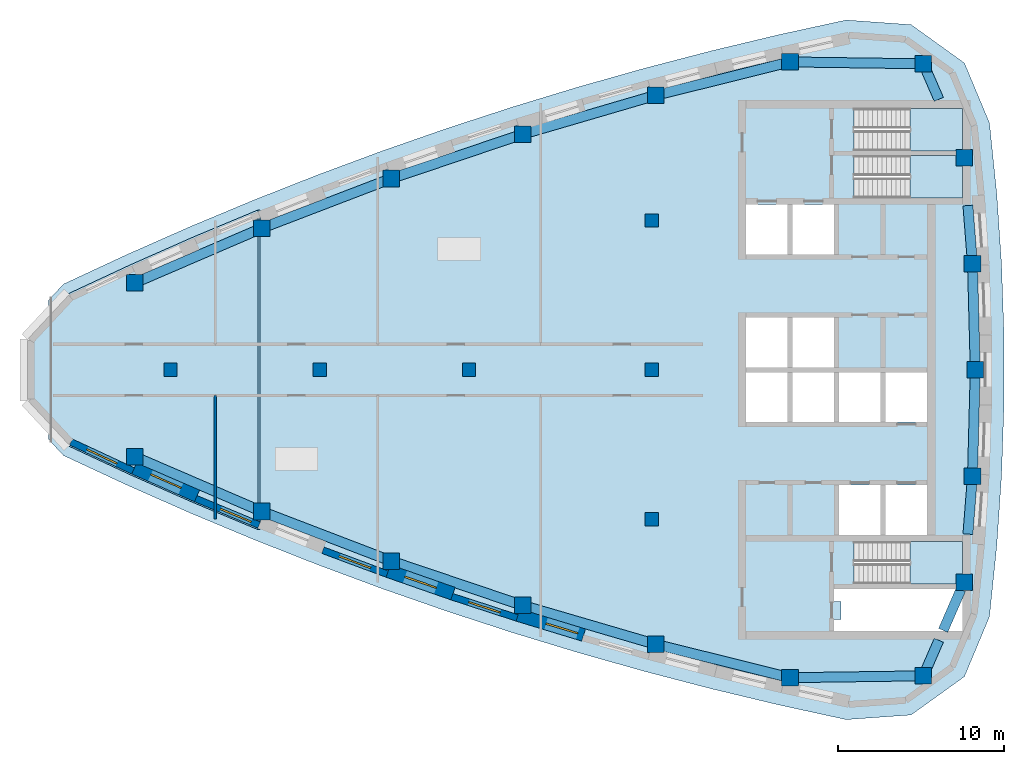
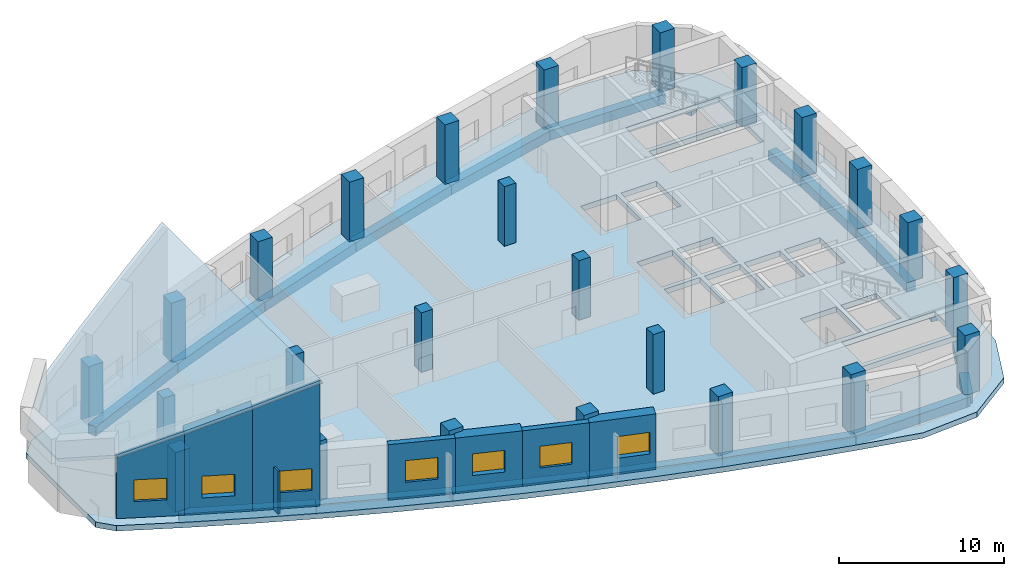
# One storey, part 1 of 7: 25 columns, 19 beams, 8 walls, 7 windows, 5 slabs, 8 openings, 3 elements without a shape of their own.
"""IFC4 building model written with IfcOpenShell, lengths in metres."""

from ifc_helpers import new_model, si_unit, direction, frame, frame_2d, origin, origin_2d, place, context, subcontext, project, spatial, polyline, rectangle, outline, extrude, material, layer, layer_set, material_profile, profile_set, type_object, element, fill, aggregate, save


model = new_model("IFC4")

# Units and contexts
model_context = context("Model", 3, precision=1e-05, world=origin(), true_north=direction((0.0, 1.0)))
body_context = subcontext(model_context, "Body", "Model", "MODEL_VIEW")
ifc_project = project(units=[si_unit("LENGTHUNIT", "METRE"), si_unit("AREAUNIT", "SQUARE_METRE"), si_unit("VOLUMEUNIT", "CUBIC_METRE"), si_unit("PLANEANGLEUNIT", "RADIAN"), si_unit("MASSUNIT", "GRAM", prefix="KILO")], contexts=[model_context])

# Site, building, storey
site_placement = place(None, origin())
site = spatial("IfcSite", under=ifc_project, at=site_placement, CompositionType="ELEMENT")
building_placement = place(site_placement, origin())
building = spatial("IfcBuilding", under=site, at=building_placement, Name="Ostrand Prow Hotel Tower", CompositionType="ELEMENT")
storey_placement = place(building_placement, frame((0.0, 0.0, 323.0)))
storey = spatial("IfcBuildingStorey", under=building, at=storey_placement, Name="C4", CompositionType="ELEMENT", Elevation=323.0)

# Columns
ifc_material_1 = material(Name="Concrete C40/50", Category="concrete")
ifc_material_profile_1 = material_profile(ifc_material_1, rectangle(XDim=0.800048828125, YDim=0.800048828125, at=origin_2d()), Name="RC 800x800")
ifc_profile_set_1 = profile_set([ifc_material_profile_1], Name="Concrete C40/50")
column_type_1 = type_object("IfcColumnType", Name="Interior column 800x800 C40/50", PredefinedType="COLUMN", material=ifc_profile_set_1)
for number, where, z_axis, x_axis, name in (
    (1, (16.0, 0.0, 0.0), (0.0, 0.0, 1.0), (1.0, 0.0, 0.0), "Interior column 16C0"),
    (2, (25.0, 0.0, 0.0), (0.0, 0.0, 1.0), (1.0, 0.0, 0.0), "Interior column 25C0"),
    (3, (34.0, 0.0, 0.0), (0.0, 0.0, 1.0), (1.0, 0.0, 0.0), "Interior column 34C0"),
    (4, (45.0, -9.0, 0.0), (0.0, 0.0, 1.0), (1.0, 0.0, 0.0), "Interior column 45S9"),
    (5, (45.0, 0.0, 0.0), (0.0, 0.0, 1.0), (1.0, 0.0, 0.0), "Interior column 45C0"),
    (6, (45.0, 9.0, 0.0), (0.0, 0.0, 1.0), (1.0, 0.0, 0.0), "Interior column 45N9"),
):
    element("IfcColumn", number, at=place(storey_placement, frame(where, z_axis=z_axis, x_axis=x_axis)), inside=storey, type_object=column_type_1, Name=name, PredefinedType="COLUMN", context=body_context, shape_type="SweptSolid", body=[
        extrude(rectangle(XDim=0.800048828125, YDim=0.800048828125, at=origin_2d()), origin(), (0.0, 0.0, 1.0), 4.39990234375),
    ])
ifc_material_2 = material(Name="Concrete C40/50", Category="concrete")
ifc_material_profile_2 = material_profile(ifc_material_2, rectangle(XDim=1.0, YDim=1.0, at=origin_2d()), Name="RC 1000x1000")
ifc_profile_set_2 = profile_set([ifc_material_profile_2], Name="Concrete C40/50")
column_type_2 = type_object("IfcColumnType", Name="Stone-faced mega column 1000x1000 C40/50", PredefinedType="COLUMN", material=ifc_profile_set_2)
for number, where, z_axis, x_axis, name in (
    (7, (13.846435546875, -5.23681640625, 0.0), (0.0, 0.0, 1.0), (1.0, 0.0, 0.0), "Mega column S1"),
    (8, (21.51416015625, -8.5400390625, 0.0), (0.0, 0.0, 1.0), (1.0, 0.0, 0.0), "Mega column S2"),
    (9, (29.31005859375, -11.528076171875, 0.0), (0.0, 0.0, 1.0), (1.0, 0.0, 0.0), "Mega column S3"),
    (10, (37.22119140625, -14.19580078125, 0.0), (0.0, 0.0, 1.0), (1.0, 0.0, 0.0), "Mega column S4"),
    (11, (45.234619140625, -16.53857421875, 0.0), (0.0, 0.0, 1.0), (1.0, 0.0, 0.0), "Mega column S5"),
    (12, (53.3369140625, -18.552978515625, 0.0), (0.0, 0.0, 1.0), (1.0, 0.0, 0.0), "Mega column S6"),
    (13, (61.374267578125, -18.439697265625, 0.0), (0.0, 0.0, 1.0), (1.0, 0.0, 0.0), "Mega column SE"),
    (14, (63.831787109375, -12.7890625, 0.0), (0.0, 0.0, 1.0), (1.0, 0.0, 0.0), "Mega column B1"),
    (15, (64.332763671875, -6.4033203125, 0.0), (0.0, 0.0, 1.0), (1.0, 0.0, 0.0), "Mega column B2"),
    (16, (64.5, 0.0, 0.0), (0.0, 0.0, 1.0), (1.0, 0.0, 0.0), "Mega column B3"),
    (17, (64.332763671875, 6.4033203125, 0.0), (0.0, 0.0, 1.0), (1.0, 0.0, 0.0), "Mega column B4"),
    (18, (63.831787109375, 12.7890625, 0.0), (0.0, 0.0, 1.0), (1.0, 0.0, 0.0), "Mega column B5"),
    (19, (61.374267578125, 18.439697265625, 0.0), (0.0, 0.0, 1.0), (1.0, 0.0, 0.0), "Mega column NE"),
    (20, (53.3369140625, 18.552978515625, 0.0), (0.0, 0.0, 1.0), (1.0, 0.0, 0.0), "Mega column N1"),
    (21, (45.234619140625, 16.53857421875, 0.0), (0.0, 0.0, 1.0), (1.0, 0.0, 0.0), "Mega column N2"),
    (22, (37.22119140625, 14.19580078125, 0.0), (0.0, 0.0, 1.0), (1.0, 0.0, 0.0), "Mega column N3"),
    (23, (29.31005859375, 11.528076171875, 0.0), (0.0, 0.0, 1.0), (1.0, 0.0, 0.0), "Mega column N4"),
    (24, (21.51416015625, 8.5400390625, 0.0), (0.0, 0.0, 1.0), (1.0, 0.0, 0.0), "Mega column N5"),
    (25, (13.846435546875, 5.23681640625, 0.0), (0.0, 0.0, 1.0), (1.0, 0.0, 0.0), "Mega column N6"),
):
    element("IfcColumn", number, at=place(storey_placement, frame(where, z_axis=z_axis, x_axis=x_axis)), inside=storey, type_object=column_type_2, Name=name, PredefinedType="COLUMN", context=body_context, shape_type="SweptSolid", body=[
        extrude(rectangle(XDim=1.0, YDim=1.0, at=origin_2d()), origin(), (0.0, 0.0, 1.0), 4.39990234375),
    ])

# Beams
ifc_material_3 = material(Name="Concrete C40/50", Category="concrete")
ifc_material_profile_3 = material_profile(ifc_material_3, rectangle(XDim=0.60009765625, YDim=0.699951171875, at=origin_2d()), Name="RC 600x700")
ifc_profile_set_3 = profile_set([ifc_material_profile_3], Name="Concrete C40/50")
beam_type = type_object("IfcBeamType", Name="Edge beam 600x700 C40/50", PredefinedType="SPANDREL", material=ifc_profile_set_3)
for number, where, z_axis, x_axis, name in (
    (26, (13.846435546875, -5.23681640625, -0.75), (0.918403788687, -0.39564438695, 0.0), (0.39564438695, 0.918403788687, 0.0), "Edge beam S1-S2"),
    (27, (21.51416015625, -8.5400390625, -0.75), (0.933761753797, -0.357895218111, 0.0), (0.357895218111, 0.933761753797, 0.0), "Edge beam S2-S3"),
    (28, (29.31005859375, -11.528076171875, -0.75), (0.947575089419, -0.319533174981, 0.0), (0.319533174981, 0.947575089419, 0.0), "Edge beam S3-S4"),
    (29, (37.22119140625, -14.19580078125, -0.75), (0.959821966031, -0.280609681809, 0.0), (0.280609681809, 0.959821966031, 0.0), "Edge beam S4-S5"),
    (30, (45.234619140625, -16.53857421875, -0.75), (0.970456465292, -0.241276291775, 0.0), (0.241276291775, 0.970456465292, 0.0), "Edge beam S5-S6"),
):
    element("IfcBeam", number, at=place(storey_placement, frame(where, z_axis=z_axis, x_axis=x_axis)), inside=storey, type_object=beam_type, Name=name, PredefinedType="SPANDREL", context=body_context, shape_type="SweptSolid", body=[
        extrude(rectangle(XDim=0.60009765625, YDim=0.699951171875, at=origin_2d()), origin(), (0.0, 0.0, 1.0), 8.348876953125),
    ])
beam_1_placement = place(storey_placement, frame((53.3369140625, -18.552978515625, -0.75), z_axis=(0.999900689486, 0.014092947356, 0.0), x_axis=(-0.014092947356, 0.999900689486, 0.0)))
element("IfcBeam", 31, at=beam_1_placement, inside=storey, type_object=beam_type, Name="Edge beam S6-SE", PredefinedType="SPANDREL", context=body_context, shape_type="SweptSolid", body=[
    extrude(rectangle(XDim=0.60009765625, YDim=0.699951171875, at=origin_2d()), origin(), (0.0, 0.0, 1.0), 8.0380859375),
])
beam_2_placement = place(storey_placement, frame((61.374267578125, -18.439697265625, -0.75), z_axis=(0.398863844187, 0.91701016014, 0.0), x_axis=(-0.91701016014, 0.398863844187, 0.0)))
element("IfcBeam", 32, at=beam_2_placement, inside=storey, type_object=beam_type, Name="Edge beam SE-B1", PredefinedType="SPANDREL", context=body_context, shape_type="SweptSolid", body=[
    extrude(rectangle(XDim=0.60009765625, YDim=0.699951171875, at=origin_2d()), origin(), (0.0, 0.0, 1.0), 2.333251953125),
])
beam_3_placement = place(storey_placement, frame((62.56591796875, -15.699951171875, -0.75), z_axis=(0.398799624102, 0.917038090712, 0.0), x_axis=(-0.917038090712, 0.398799624102, 0.0)))
element("IfcBeam", 33, at=beam_3_placement, inside=storey, type_object=beam_type, Name="Edge beam SE-B1", PredefinedType="SPANDREL", context=body_context, shape_type="SweptSolid", body=[
    extrude(rectangle(XDim=0.60009765625, YDim=0.699951171875, at=origin_2d()), origin(), (0.0, 0.0, 1.0), 2.671630859375),
])
beam_4_placement = place(storey_placement, frame((64.058349609375, -9.89990234375, -0.75), z_axis=(0.078240080308, 0.996934546414, 0.0), x_axis=(-0.996934546414, 0.078240080308, 0.0)))
element("IfcBeam", 34, at=beam_4_placement, inside=storey, type_object=beam_type, Name="Edge beam B1-B2", PredefinedType="SPANDREL", context=body_context, shape_type="SweptSolid", body=[
    extrude(rectangle(XDim=0.60009765625, YDim=0.699951171875, at=origin_2d()), origin(), (0.0, 0.0, 1.0), 3.50732421875),
])
for number, where, z_axis, x_axis, name in (
    (35, (64.332763671875, -6.4033203125, -0.75), (0.026108223987, 0.999659122221, 0.0), (-0.999659122221, 0.026108223987, 0.0), "Edge beam B2-B3"),
    (36, (64.5, 0.0, -0.75), (-0.026108223987, 0.999659122221, 0.0), (-0.999659122221, -0.026108223987, 0.0), "Edge beam B3-B4"),
):
    element("IfcBeam", number, at=place(storey_placement, frame(where, z_axis=z_axis, x_axis=x_axis)), inside=storey, type_object=beam_type, Name=name, PredefinedType="SPANDREL", context=body_context, shape_type="SweptSolid", body=[
        extrude(rectangle(XDim=0.60009765625, YDim=0.699951171875, at=origin_2d()), origin(), (0.0, 0.0, 1.0), 6.405517578125),
    ])
beam_5_placement = place(storey_placement, frame((64.332763671875, 6.4033203125, -0.75), z_axis=(-0.078240080308, 0.996934546414, 0.0), x_axis=(-0.996934546414, -0.078240080308, 0.0)))
element("IfcBeam", 37, at=beam_5_placement, inside=storey, type_object=beam_type, Name="Edge beam B4-B5", PredefinedType="SPANDREL", context=body_context, shape_type="SweptSolid", body=[
    extrude(rectangle(XDim=0.60009765625, YDim=0.699951171875, at=origin_2d()), origin(), (0.0, 0.0, 1.0), 3.50732421875),
])
beam_6_placement = place(storey_placement, frame((62.304931640625, 16.300048828125, -0.75), z_axis=(-0.398863844187, 0.91701016014, 0.0), x_axis=(-0.91701016014, -0.398863844187, 0.0)))
element("IfcBeam", 38, at=beam_6_placement, inside=storey, type_object=beam_type, Name="Edge beam B5-NE", PredefinedType="SPANDREL", context=body_context, shape_type="SweptSolid", body=[
    extrude(rectangle(XDim=0.60009765625, YDim=0.699951171875, at=origin_2d()), origin(), (0.0, 0.0, 1.0), 2.333251953125),
])
beam_7_placement = place(storey_placement, frame((61.374267578125, 18.439697265625, -0.75), z_axis=(-0.999900689486, 0.014092947356, 0.0), x_axis=(-0.014092947356, -0.999900689486, 0.0)))
element("IfcBeam", 39, at=beam_7_placement, inside=storey, type_object=beam_type, Name="Edge beam NE-N1", PredefinedType="SPANDREL", context=body_context, shape_type="SweptSolid", body=[
    extrude(rectangle(XDim=0.60009765625, YDim=0.699951171875, at=origin_2d()), origin(), (0.0, 0.0, 1.0), 8.0380859375),
])
for number, where, z_axis, x_axis, name in (
    (40, (53.3369140625, 18.552978515625, -0.75), (-0.970456465292, -0.241276291775, 0.0), (0.241276291775, -0.970456465292, 0.0), "Edge beam N1-N2"),
    (41, (45.234619140625, 16.53857421875, -0.75), (-0.959821966031, -0.280609681809, 0.0), (0.280609681809, -0.959821966031, 0.0), "Edge beam N2-N3"),
    (42, (37.22119140625, 14.19580078125, -0.75), (-0.947575089419, -0.319533174981, 0.0), (0.319533174981, -0.947575089419, 0.0), "Edge beam N3-N4"),
    (43, (29.31005859375, 11.528076171875, -0.75), (-0.933761753797, -0.357895218111, 0.0), (0.357895218111, -0.933761753797, 0.0), "Edge beam N4-N5"),
    (44, (21.51416015625, 8.5400390625, -0.75), (-0.918403788687, -0.39564438695, 0.0), (0.39564438695, -0.918403788687, 0.0), "Edge beam N5-N6"),
):
    element("IfcBeam", number, at=place(storey_placement, frame(where, z_axis=z_axis, x_axis=x_axis)), inside=storey, type_object=beam_type, Name=name, PredefinedType="SPANDREL", context=body_context, shape_type="SweptSolid", body=[
        extrude(rectangle(XDim=0.60009765625, YDim=0.699951171875, at=origin_2d()), origin(), (0.0, 0.0, 1.0), 8.348876953125),
    ])

# Slab
ifc_material_4 = material(Name="Precast concrete C40/50", Category="concrete")
ifc_layer_1 = layer(ifc_material_4, 0.300048828125)
ifc_layer_set_1 = layer_set([ifc_layer_1], Name="Precast concrete C40/50")
slab_type_1 = type_object("IfcSlabType", Name="Crown roof deck 300 mm", PredefinedType="ROOF", material=ifc_layer_set_1)
slab_1_placement = place(storey_placement, frame((21.23779296875, -9.615234375, 9.340087890625), z_axis=(-0.374596064519, 0.0, 0.927188108448), x_axis=(0.871719124101, -0.340691766344, 0.352185872833)))
element("IfcSlab", 45, at=slab_1_placement, inside=storey, type_object=slab_type_1, Name="Crown roof deck C4.1", PredefinedType="ROOF", context=body_context, shape_type="SweptSolid", body=[
    extrude(outline(polyline([(0.0, 0.0), (0.05661160990765393, 4.336808689942018e-19), (-6.508192674868735, 18.116273392563805), (-6.551662366055122, 18.080006874609964), (-9.879749701278756, 15.177284872822451), (-13.148854320803189, 12.214657973360204), (-16.357221567207233, 9.193800715278465), (-18.00744627438847, 5.688218902094382), (-16.734842752645587, 2.176334568589248), (-13.221959008476762, 0.541711299125358), (-8.823166820688135, 0.27746472837536634), (-4.4150404608534375, 0.09684038188863514), (0.0, 0.0)])), origin(), (0.0, 0.0, -1.0), 0.300048828125),
])

# Slab, opening
ifc_material_5 = material(Name="Concrete C40/50", Category="concrete")
ifc_layer_2 = layer(ifc_material_5, 0.39990234375)
ifc_layer_set_2 = layer_set([ifc_layer_2], Name="Concrete C40/50")
slab_type_2 = type_object("IfcSlabType", Name="PT flat plate 400 C40/50", PredefinedType="FLOOR", material=ifc_layer_set_2)
slab_2_placement = place(storey_placement, frame((0.0, 0.0, -0.39990234375)))
slab_2 = element("IfcSlab", 46, at=slab_2_placement, inside=storey, type_object=slab_type_2, Name="Floor slab C4-1", PredefinedType="FLOOR", context=body_context, shape_type="SweptSolid", body=[
    extrude(outline(polyline([(9.560791015625, 5.168212890625), (13.365478515625, 6.9404296875), (17.1630859375, 8.6171875), (20.993408203125, 10.21728515625), (24.855224609375, 11.740234375), (28.746826171875, 13.185302734375), (32.666748046875, 14.551513671875), (36.61328125, 15.8388671875), (40.5849609375, 17.046630859375), (44.580078125, 18.17431640625), (48.596923828125, 19.221435546875), (52.634033203125, 20.187744140625), (56.72265625, 21.07958984375), (60.634765625, 20.80029296875), (63.84765625, 18.49072265625), (65.35888671875, 14.87060546875), (65.796875, 10.611083984375), (66.0869140625, 6.37158203125), (66.23193359375, 2.124755859375), (66.23193359375, -2.124755859375), (66.0869140625, -6.37158203125), (65.796875, -10.611083984375), (65.35888671875, -14.87060546875), (63.84765625, -18.49072265625), (60.634765625, -20.80029296875), (56.72265625, -21.07958984375), (52.634033203125, -20.187744140625), (48.596923828125, -19.221435546875), (44.580078125, -18.17431640625), (40.5849609375, -17.046630859375), (36.61328125, -15.8388671875), (32.666748046875, -14.551513671875), (28.746826171875, -13.185302734375), (24.855224609375, -11.740234375), (20.993408203125, -10.21728515625), (17.1630859375, -8.6171875), (13.365478515625, -6.9404296875), (9.560791015625, -5.168212890625), (8.660888671875, -4.201904296875), (8.660888671875, 4.201904296875), (9.560791015625, 5.168212890625)]), holes=[polyline([(50.699951171875, 6.949951171875), (53.199951171875, 6.949951171875), (53.199951171875, 9.949951171875), (50.699951171875, 9.949951171875), (50.699951171875, 6.949951171875)]), polyline([(53.5, 6.949951171875), (56.0, 6.949951171875), (56.0, 9.949951171875), (53.5, 9.949951171875), (53.5, 6.949951171875)]), polyline([(50.699951171875, 0.14990234375), (53.199951171875, 0.14990234375), (53.199951171875, 3.14990234375), (50.699951171875, 3.14990234375), (50.699951171875, 0.14990234375)]), polyline([(53.5, 0.14990234375), (56.0, 0.14990234375), (56.0, 3.14990234375), (53.5, 3.14990234375), (53.5, 0.14990234375)]), polyline([(50.699951171875, -3.14990234375), (53.199951171875, -3.14990234375), (53.199951171875, -0.14990234375), (50.699951171875, -0.14990234375), (50.699951171875, -3.14990234375)]), polyline([(53.5, -3.14990234375), (56.0, -3.14990234375), (56.0, -0.14990234375), (53.5, -0.14990234375), (53.5, -3.14990234375)]), polyline([(56.300048828125, -3.14990234375), (58.800048828125, -3.14990234375), (58.800048828125, -0.14990234375), (56.300048828125, -0.14990234375), (56.300048828125, -3.14990234375)]), polyline([(59.10009765625, -3.14990234375), (61.60009765625, -3.14990234375), (61.60009765625, -0.14990234375), (59.10009765625, -0.14990234375), (59.10009765625, -3.14990234375)]), polyline([(56.300048828125, -9.949951171875), (58.800048828125, -9.949951171875), (58.800048828125, -6.949951171875), (56.300048828125, -6.949951171875), (56.300048828125, -9.949951171875)]), polyline([(59.10009765625, -9.949951171875), (61.60009765625, -9.949951171875), (61.60009765625, -6.949951171875), (59.10009765625, -6.949951171875), (59.10009765625, -9.949951171875)]), polyline([(57.200927734375, 10.35107421875), (57.200927734375, 12.89892578125), (63.718994140625, 12.89892578125), (63.718994140625, 10.35107421875), (57.200927734375, 10.35107421875)]), polyline([(57.200927734375, 13.200927734375), (57.200927734375, 15.7490234375), (63.718994140625, 15.7490234375), (63.718994140625, 13.200927734375), (57.200927734375, 13.200927734375)]), polyline([(57.200927734375, -12.89892578125), (57.200927734375, -10.35107421875), (63.718994140625, -10.35107421875), (63.718994140625, -12.89892578125), (57.200927734375, -12.89892578125)]), polyline([(56.0, -13.949951171875), (56.0, -13.199951171875), (63.719970703125, -13.199951171875), (63.719970703125, -15.75), (56.0, -15.75), (56.0, -15.050048828125), (56.39990234375, -15.050048828125), (56.39990234375, -13.949951171875), (56.0, -13.949951171875)])]), origin(), (0.0, 0.0, 1.0), 0.39990234375),
])
opening_1_placement = place(slab_2_placement, origin())
element("IfcOpeningElement", 47, at=opening_1_placement, cuts=slab_2, Name="Shaft opening 1", PredefinedType="OPENING", context=body_context, shape_type="SweptSolid", body=[
    extrude(outline(polyline([(56.0, -13.949951171875), (56.0, -13.199951171875), (63.719970703125, -13.199951171875), (63.719970703125, -15.75), (56.0, -15.75), (56.0, -15.050048828125), (56.39990234375, -15.050048828125), (56.39990234375, -13.949951171875), (56.0, -13.949951171875)])), origin(), (0.0, 0.0, 1.0), 0.39990234375),
])

# Stair, slab
ifc_material_6 = material(Name="Concrete C40/50", Category="concrete")
stair_type = type_object("IfcStairType", Name="Exit stair 1200 upper zone", PredefinedType="HALF_TURN_STAIR", material=ifc_material_6)
stair_1_placement = place(storey_placement, origin())
stair_1 = element("IfcStair", 48, at=stair_1_placement, inside=storey, type_object=stair_type, Name="C4 ST1C", PredefinedType="HALF_TURN_STAIR")
ifc_material_7 = material(Name="Concrete C40/50", Category="concrete")
ifc_layer_3 = layer(ifc_material_7, 0.199951171875)
ifc_layer_set_3 = layer_set([ifc_layer_3], Name="Concrete C40/50")
slab_type_3 = type_object("IfcSlabType", Name="Stair landing 200 concrete", PredefinedType="LANDING", material=ifc_layer_set_3)
slab_3_placement = place(storey_placement, frame((0.0, 0.0, 2.0)))
slab_3 = element("IfcSlab", 49, at=slab_3_placement, type_object=slab_type_3, Name="ST1C landing 1", PredefinedType="LANDING", context=body_context, shape_type="SweptSolid", body=[
    extrude(outline(polyline([(60.56005859375, 10.35009765625), (63.719970703125, 10.35009765625), (63.719970703125, 12.89990234375), (60.56005859375, 12.89990234375), (60.56005859375, 10.35009765625)])), origin(), (0.0, 0.0, 1.0), 0.199951171875),
])
aggregate(stair_1, [slab_3])

stair_2_placement = place(storey_placement, origin())
stair_2 = element("IfcStair", 50, at=stair_2_placement, inside=storey, type_object=stair_type, Name="C4 ST3C", PredefinedType="HALF_TURN_STAIR")
slab_4_placement = place(storey_placement, frame((0.0, 0.0, 2.0)))
slab_4 = element("IfcSlab", 51, at=slab_4_placement, type_object=slab_type_3, Name="ST3C landing 1", PredefinedType="LANDING", context=body_context, shape_type="SweptSolid", body=[
    extrude(outline(polyline([(60.56005859375, 13.199951171875), (63.719970703125, 13.199951171875), (63.719970703125, 15.75), (60.56005859375, 15.75), (60.56005859375, 13.199951171875)])), origin(), (0.0, 0.0, 1.0), 0.199951171875),
])
aggregate(stair_2, [slab_4])

stair_3_placement = place(storey_placement, origin())
stair_3 = element("IfcStair", 52, at=stair_3_placement, inside=storey, type_object=stair_type, Name="C4 ST2C", PredefinedType="HALF_TURN_STAIR")
slab_5_placement = place(storey_placement, frame((0.0, 0.0, 2.0)))
slab_5 = element("IfcSlab", 53, at=slab_5_placement, type_object=slab_type_3, Name="ST2C landing 1", PredefinedType="LANDING", context=body_context, shape_type="SweptSolid", body=[
    extrude(outline(polyline([(60.56005859375, -12.89990234375), (63.719970703125, -12.89990234375), (63.719970703125, -10.35009765625), (60.56005859375, -10.35009765625), (60.56005859375, -12.89990234375)])), origin(), (0.0, 0.0, 1.0), 0.199951171875),
])
aggregate(stair_3, [slab_5])

# Wall
ifc_material_8 = material(Name="Plasterboard partition")
ifc_layer_4 = layer(ifc_material_8, 0.14990234375)
ifc_layer_set_4 = layer_set([ifc_layer_4], Name="Plasterboard partition")
wall_type_1 = type_object("IfcWallType", Name="Partition 150 room partition", PredefinedType="PARTITIONING", material=ifc_layer_set_4)
wall_1_placement = place(storey_placement, frame((18.708251953125, -8.99169921875, 0.0), z_axis=(0.0, 0.0, 1.0), x_axis=(0.0, 1.0, 0.0)))
element("IfcWall", 54, at=wall_1_placement, inside=storey, type_object=wall_type_1, Name="ROOM PARTITION", PredefinedType="PARTITIONING", context=body_context, shape_type="SweptSolid", body=[
    extrude(rectangle(XDim=7.448974609375, YDim=0.14990234375, at=frame_2d((3.724609375, 0.0))), origin(), (0.0, 0.0, 1.0), 3.14990234375),
])

# Wall, opening, window
ifc_material_9 = material(Name="Precast concrete C40/50", Category="concrete")
ifc_layer_5 = layer(ifc_material_9, 0.39990234375)
ifc_layer_set_5 = layer_set([ifc_layer_5], Name="Precast concrete C40/50")
wall_type_2 = type_object("IfcWallType", Name="Stone-faced precast wall 400 mm", PredefinedType="NOTDEFINED", material=ifc_layer_set_5)
wall_2_placement = place(storey_placement, frame((10.003662109375, -4.3486328125, 0.0), z_axis=(0.0, 0.0, 1.0), x_axis=(0.906489287232, -0.422228814902, 0.0)))
wall_2 = element("IfcWall", 55, at=wall_2_placement, inside=storey, type_object=wall_type_2, Name="Crown side wall C4 4", PredefinedType="NOTDEFINED", context=body_context, shape_type="SweptSolid", body=[
    extrude(outline(polyline([(0.0, 0.0), (4.132568359375, 0.0), (4.132568359375, 6.014892578125), (0.0, 4.50146484375), (0.0, 0.0)])), frame((0.0, 0.199951171875, 0.0), z_axis=(0.0, -1.0, 0.0), x_axis=(1.0, 0.0, 0.0)), (0.0, 0.0, 1.0), 0.39990234375),
])
opening_2_placement = place(wall_2_placement, frame((1.06640625, 0.0, 1.199951171875)))
opening_2 = element("IfcOpeningElement", 56, at=opening_2_placement, cuts=wall_2, Name="Opening WV1", PredefinedType="OPENING", context=body_context, shape_type="SweptSolid", body=[
    extrude(rectangle(XDim=2.0, YDim=1.60009765625, at=frame_2d((1.0, 0.800048828125))), frame((0.0, 0.2099609375, 0.0), z_axis=(0.0, -1.0, 0.0), x_axis=(1.0, 0.0, 0.0)), (0.0, 0.0, 1.0), 0.419921875),
])
ifc_material_10 = material(Name="Bronze anodised aluminium louvre", Category="aluminium")
window_type = type_object("IfcWindowType", Name="Louvre vent 2000x1600", PartitioningType="SINGLE_PANEL", PredefinedType="WINDOW", material=ifc_material_10)
window_1_placement = place(opening_2_placement, origin())
window_1 = element("IfcWindow", 57, at=window_1_placement, inside=storey, type_object=window_type, Name="Louvre vent 4.1", OverallHeight=1.60009765625, OverallWidth=2.0, PartitioningType="SINGLE_PANEL", PredefinedType="WINDOW", context=body_context, shape_type="SweptSolid", body=[
    extrude(rectangle(XDim=2.0, YDim=1.60009765625, at=frame_2d((1.0, 0.800048828125))), frame((0.0, 0.030029296875, 0.0), z_axis=(0.0, -1.0, 0.0), x_axis=(1.0, 0.0, 0.0)), (0.0, 0.0, 1.0), 0.06005859375),
])
fill(opening_2, window_1)

wall_3_placement = place(storey_placement, frame((13.845458984375, -5.876708984375, 0.0), z_axis=(0.0, 0.0, 1.0), x_axis=(0.914768867085, -0.403977622909, 0.0)))
wall_3 = element("IfcWall", 58, at=wall_3_placement, inside=storey, type_object=wall_type_2, Name="Crown side wall C4 5", PredefinedType="NOTDEFINED", context=body_context, shape_type="SweptSolid", body=[
    extrude(outline(polyline([(0.0, 0.0), (4.132568359375, 0.0), (4.132568359375, 7.542236328125), (0.0, 6.014892578125), (0.0, 0.0)])), frame((0.0, 0.43701171875, 0.0), z_axis=(0.0, -1.0, 0.0), x_axis=(1.0, 0.0, 0.0)), (0.0, 0.0, 1.0), 0.873779296875),
])
opening_3_placement = place(wall_3_placement, frame((1.06640625, 0.0, 1.199951171875)))
opening_3 = element("IfcOpeningElement", 59, at=opening_3_placement, cuts=wall_3, Name="Opening WV1", PredefinedType="OPENING", context=body_context, shape_type="SweptSolid", body=[
    extrude(rectangle(XDim=2.0, YDim=1.60009765625, at=frame_2d((1.0, 0.800048828125))), frame((0.0, 0.44677734375, 0.0), z_axis=(0.0, -1.0, 0.0), x_axis=(1.0, 0.0, 0.0)), (0.0, 0.0, 1.0), 0.893798828125),
])
window_2_placement = place(opening_3_placement, origin())
window_2 = element("IfcWindow", 60, at=window_2_placement, inside=storey, type_object=window_type, Name="Louvre vent 5.1", OverallHeight=1.60009765625, OverallWidth=2.0, PartitioningType="SINGLE_PANEL", PredefinedType="WINDOW", context=body_context, shape_type="SweptSolid", body=[
    extrude(rectangle(XDim=2.0, YDim=1.60009765625, at=frame_2d((1.0, 0.800048828125))), frame((0.0, 0.030029296875, 0.0), z_axis=(0.0, -1.0, 0.0), x_axis=(1.0, 0.0, 0.0)), (0.0, 0.0, 1.0), 0.06005859375),
])
fill(opening_3, window_2)

wall_4_placement = place(storey_placement, frame((17.530029296875, -7.7626953125, 0.0), z_axis=(0.0, 0.0, 1.0), x_axis=(0.922718217389, -0.385475150039, 0.0)))
wall_4 = element("IfcWall", 61, at=wall_4_placement, inside=storey, type_object=wall_type_2, Name="Crown side wall C4 6", PredefinedType="NOTDEFINED", context=body_context, shape_type="SweptSolid", body=[
    extrude(outline(polyline([(0.0, 0.0), (4.132568359375, 0.0), (4.132568359375, 9.082763671875), (0.0, 7.542236328125), (0.0, 0.0)])), frame((0.0, 0.199951171875, 0.0), z_axis=(0.0, -1.0, 0.0), x_axis=(1.0, 0.0, 0.0)), (0.0, 0.0, 1.0), 0.39990234375),
])
opening_4_placement = place(wall_4_placement, frame((1.6162109375, 0.0, 1.199951171875)))
opening_4 = element("IfcOpeningElement", 62, at=opening_4_placement, cuts=wall_4, Name="Opening WV1", PredefinedType="OPENING", context=body_context, shape_type="SweptSolid", body=[
    extrude(rectangle(XDim=2.0, YDim=1.60009765625, at=frame_2d((1.0, 0.800048828125))), frame((0.0, 0.2099609375, 0.0), z_axis=(0.0, -1.0, 0.0), x_axis=(1.0, 0.0, 0.0)), (0.0, 0.0, 1.0), 0.419921875),
])
window_3_placement = place(opening_4_placement, origin())
window_3 = element("IfcWindow", 63, at=window_3_placement, inside=storey, type_object=window_type, Name="Louvre vent 6.1", OverallHeight=1.60009765625, OverallWidth=2.0, PartitioningType="SINGLE_PANEL", PredefinedType="WINDOW", context=body_context, shape_type="SweptSolid", body=[
    extrude(rectangle(XDim=2.0, YDim=1.60009765625, at=frame_2d((1.0, 0.800048828125))), frame((0.0, 0.030029296875, 0.0), z_axis=(0.0, -1.0, 0.0), x_axis=(1.0, 0.0, 0.0)), (0.0, 0.0, 1.0), 0.06005859375),
])
fill(opening_4, window_3)

wall_5_placement = place(storey_placement, frame((25.187744140625, -10.87158203125, 0.0), z_axis=(0.0, 0.0, 1.0), x_axis=(0.937460527937, -0.348091595072, 0.0)))
wall_5 = element("IfcWall", 64, at=wall_5_placement, inside=storey, type_object=wall_type_2, Name="Crown side wall C4 8", PredefinedType="NOTDEFINED", context=body_context, shape_type="SweptSolid", body=[
    extrude(rectangle(XDim=4.132568359375, YDim=0.39990234375, at=frame_2d((2.06640625, 0.0))), origin(), (0.0, 0.0, 1.0), 4.10009765625),
])
opening_5_placement = place(wall_5_placement, frame((1.06640625, 0.0, 1.199951171875)))
opening_5 = element("IfcOpeningElement", 65, at=opening_5_placement, cuts=wall_5, Name="Opening WV1", PredefinedType="OPENING", context=body_context, shape_type="SweptSolid", body=[
    extrude(rectangle(XDim=2.0, YDim=1.60009765625, at=frame_2d((1.0, 0.800048828125))), frame((0.0, 0.2099609375, 0.0), z_axis=(0.0, -1.0, 0.0), x_axis=(1.0, 0.0, 0.0)), (0.0, 0.0, 1.0), 0.419921875),
])
window_4_placement = place(opening_5_placement, origin())
window_4 = element("IfcWindow", 66, at=window_4_placement, inside=storey, type_object=window_type, Name="Louvre vent 8.1", OverallHeight=1.60009765625, OverallWidth=2.0, PartitioningType="SINGLE_PANEL", PredefinedType="WINDOW", context=body_context, shape_type="SweptSolid", body=[
    extrude(rectangle(XDim=2.0, YDim=1.60009765625, at=frame_2d((1.0, 0.800048828125))), frame((0.0, 0.030029296875, 0.0), z_axis=(0.0, -1.0, 0.0), x_axis=(1.0, 0.0, 0.0)), (0.0, 0.0, 1.0), 0.06005859375),
])
fill(opening_5, window_4)

wall_6_placement = place(storey_placement, frame((29.12646484375, -12.12451171875, 0.0), z_axis=(0.0, 0.0, 1.0), x_axis=(0.944288592168, -0.329118602788, 0.0)))
wall_6 = element("IfcWall", 67, at=wall_6_placement, inside=storey, type_object=wall_type_2, Name="Crown side wall C4 9", PredefinedType="NOTDEFINED", context=body_context, shape_type="SweptSolid", body=[
    extrude(rectangle(XDim=4.132568359375, YDim=0.793212890625, at=frame_2d((2.06640625, 0.0))), origin(), (0.0, 0.0, 1.0), 4.10009765625),
])
opening_6_placement = place(wall_6_placement, frame((1.06640625, 0.0, 1.199951171875)))
opening_6 = element("IfcOpeningElement", 68, at=opening_6_placement, cuts=wall_6, Name="Opening WV1", PredefinedType="OPENING", context=body_context, shape_type="SweptSolid", body=[
    extrude(rectangle(XDim=2.0, YDim=1.60009765625, at=frame_2d((1.0, 0.800048828125))), frame((0.0, 0.406494140625, 0.0), z_axis=(0.0, -1.0, 0.0), x_axis=(1.0, 0.0, 0.0)), (0.0, 0.0, 1.0), 0.813232421875),
])
window_5_placement = place(opening_6_placement, origin())
window_5 = element("IfcWindow", 69, at=window_5_placement, inside=storey, type_object=window_type, Name="Louvre vent 9.1", OverallHeight=1.60009765625, OverallWidth=2.0, PartitioningType="SINGLE_PANEL", PredefinedType="WINDOW", context=body_context, shape_type="SweptSolid", body=[
    extrude(rectangle(XDim=2.0, YDim=1.60009765625, at=frame_2d((1.0, 0.800048828125))), frame((0.0, 0.030029296875, 0.0), z_axis=(0.0, -1.0, 0.0), x_axis=(1.0, 0.0, 0.0)), (0.0, 0.0, 1.0), 0.06005859375),
])
fill(opening_6, window_5)

wall_7_placement = place(storey_placement, frame((32.964111328125, -13.67041015625, 0.0), z_axis=(0.0, 0.0, 1.0), x_axis=(0.950701822842, -0.310106504356, 0.0)))
wall_7 = element("IfcWall", 70, at=wall_7_placement, inside=storey, type_object=wall_type_2, Name="Crown side wall C4 10", PredefinedType="NOTDEFINED", context=body_context, shape_type="SweptSolid", body=[
    extrude(rectangle(XDim=4.13232421875, YDim=0.39990234375, at=frame_2d((2.066162109375, 0.0))), origin(), (0.0, 0.0, 1.0), 4.10009765625),
])
opening_7_placement = place(wall_7_placement, frame((1.06640625, 0.0, 1.199951171875)))
opening_7 = element("IfcOpeningElement", 71, at=opening_7_placement, cuts=wall_7, Name="Opening WV1", PredefinedType="OPENING", context=body_context, shape_type="SweptSolid", body=[
    extrude(rectangle(XDim=2.0, YDim=1.60009765625, at=frame_2d((1.0, 0.800048828125))), frame((0.0, 0.2099609375, 0.0), z_axis=(0.0, -1.0, 0.0), x_axis=(1.0, 0.0, 0.0)), (0.0, 0.0, 1.0), 0.419921875),
])
window_6_placement = place(opening_7_placement, origin())
window_6 = element("IfcWindow", 72, at=window_6_placement, inside=storey, type_object=window_type, Name="Louvre vent 10.1", OverallHeight=1.60009765625, OverallWidth=2.0, PartitioningType="SINGLE_PANEL", PredefinedType="WINDOW", context=body_context, shape_type="SweptSolid", body=[
    extrude(rectangle(XDim=2.0, YDim=1.60009765625, at=frame_2d((1.0, 0.800048828125))), frame((0.0, 0.030029296875, 0.0), z_axis=(0.0, -1.0, 0.0), x_axis=(1.0, 0.0, 0.0)), (0.0, 0.0, 1.0), 0.06005859375),
])
fill(opening_7, window_6)

wall_8_placement = place(storey_placement, frame((36.94580078125, -14.77734375, 0.0), z_axis=(0.0, 0.0, 1.0), x_axis=(0.956738247994, -0.290950038368, 0.0)))
wall_8 = element("IfcWall", 73, at=wall_8_placement, inside=storey, type_object=wall_type_2, Name="Crown side wall C4 11", PredefinedType="NOTDEFINED", context=body_context, shape_type="SweptSolid", body=[
    extrude(rectangle(XDim=4.132568359375, YDim=0.764892578125, at=frame_2d((2.06640625, 0.0))), origin(), (0.0, 0.0, 1.0), 4.10009765625),
])
opening_8_placement = place(wall_8_placement, frame((1.766357421875, 0.0, 1.199951171875)))
opening_8 = element("IfcOpeningElement", 74, at=opening_8_placement, cuts=wall_8, Name="Opening WV1", PredefinedType="OPENING", context=body_context, shape_type="SweptSolid", body=[
    extrude(rectangle(XDim=2.0, YDim=1.60009765625, at=frame_2d((1.0, 0.800048828125))), frame((0.0, 0.392333984375, 0.0), z_axis=(0.0, -1.0, 0.0), x_axis=(1.0, 0.0, 0.0)), (0.0, 0.0, 1.0), 0.784912109375),
])
window_7_placement = place(opening_8_placement, origin())
window_7 = element("IfcWindow", 75, at=window_7_placement, inside=storey, type_object=window_type, Name="Louvre vent 11.1", OverallHeight=1.60009765625, OverallWidth=2.0, PartitioningType="SINGLE_PANEL", PredefinedType="WINDOW", context=body_context, shape_type="SweptSolid", body=[
    extrude(rectangle(XDim=2.0, YDim=1.60009765625, at=frame_2d((1.0, 0.800048828125))), frame((0.0, 0.030029296875, 0.0), z_axis=(0.0, -1.0, 0.0), x_axis=(1.0, 0.0, 0.0)), (0.0, 0.0, 1.0), 0.06005859375),
])
fill(opening_8, window_7)

save(model, "model.ifc")
